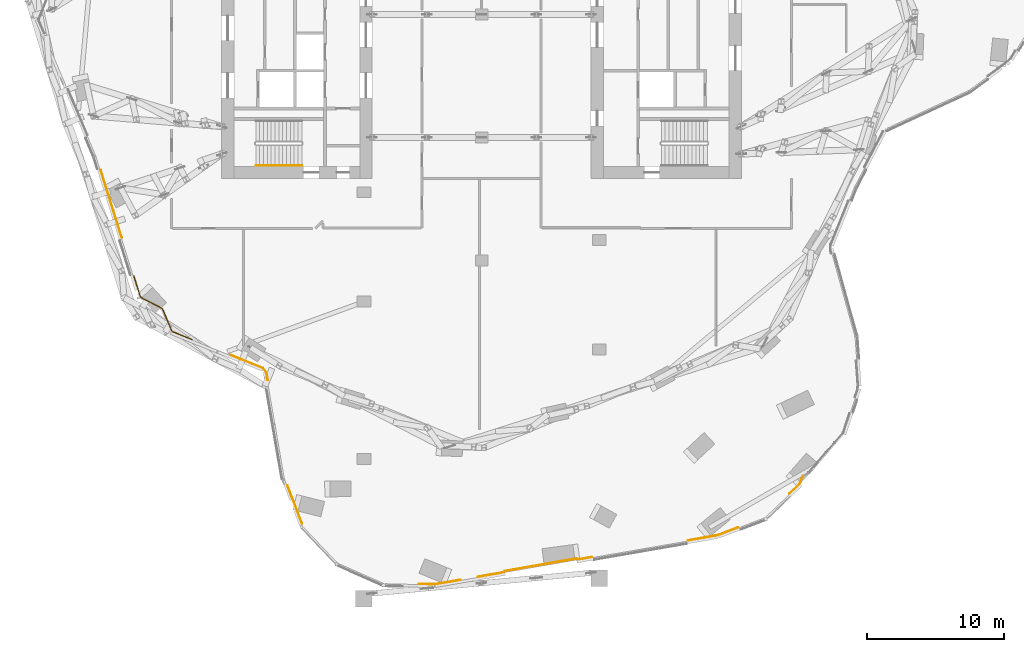
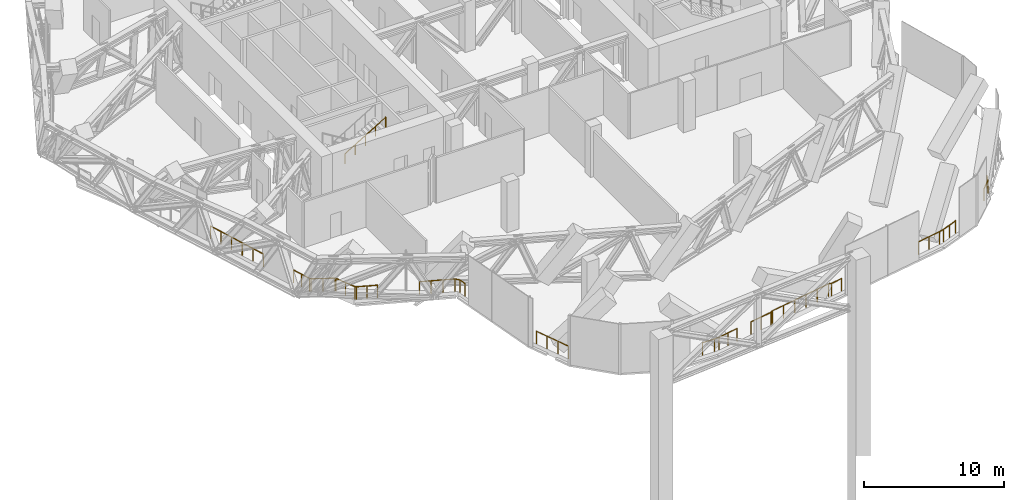
# One storey, part 28 of 31: 9 railings.
"""IFC4 building model written with IfcOpenShell, lengths in metres."""

from ifc_helpers import new_model, si_unit, direction, frame, origin, origin_2d, place, context, subcontext, project, spatial, circle, extrude, material, type_object, element, save


model = new_model("IFC4")

# Units and contexts
model_context = context("Model", 3, precision=1e-05, world=origin(), true_north=direction((0.0, 1.0)))
body_context = subcontext(model_context, "Body", "Model", "MODEL_VIEW")
ifc_project = project(units=[si_unit("LENGTHUNIT", "METRE"), si_unit("AREAUNIT", "SQUARE_METRE"), si_unit("VOLUMEUNIT", "CUBIC_METRE"), si_unit("PLANEANGLEUNIT", "RADIAN"), si_unit("MASSUNIT", "GRAM", prefix="KILO")], contexts=[model_context])

# Site, building, storey
site_placement = place(None, origin())
site = spatial("IfcSite", under=ifc_project, at=site_placement, CompositionType="ELEMENT")
building_placement = place(site_placement, origin())
building = spatial("IfcBuilding", under=site, at=building_placement, Name="Orlundy Tower", CompositionType="ELEMENT")
storey_placement = place(building_placement, frame((0.0, 0.0, 271.0)))
storey = spatial("IfcBuildingStorey", under=building, at=storey_placement, Name="L72", CompositionType="ELEMENT", Elevation=271.0)

# Railings
ifc_material_1 = material(Name="Steel handrail", Category="steel")
railing_type_1 = type_object("IfcRailingType", Name="Stair Handrail 900", PredefinedType="HANDRAIL", material=ifc_material_1)
railing_1_placement = place(storey_placement, frame((-16.5, -11.050048828125, 2.369140625)))
element("IfcRailing", 1, at=railing_1_placement, inside=storey, type_object=railing_type_1, Name="L72 ST-W2 stair handrail 2", PredefinedType="HANDRAIL", context=body_context, shape_type="SweptSolid", body=[
    extrude(circle(Radius=0.02392578125, at=origin_2d()), frame((0.0, 0.0, 0.8759765625), z_axis=(0.855836976705, 0.0, 0.517245656632), x_axis=(0.0, 1.0, 0.0)), (0.0, 0.0, 1.0), 3.926025390625),
    extrude(circle(Radius=0.02099609375, at=origin_2d()), origin(), (0.0, 0.0, 1.0), 0.851806640625),
    extrude(circle(Radius=0.02099609375, at=origin_2d()), frame((0.840087890625, 0.0, 0.5078125)), (0.0, 0.0, 1.0), 0.851806640625),
    extrude(circle(Radius=0.02099609375, at=origin_2d()), frame((1.68017578125, 0.0, 1.015380859375)), (0.0, 0.0, 1.0), 0.851806640625),
    extrude(circle(Radius=0.02099609375, at=origin_2d()), frame((2.52001953125, 0.0, 1.52294921875)), (0.0, 0.0, 1.0), 0.851806640625),
    extrude(circle(Radius=0.02099609375, at=origin_2d()), frame((3.360107421875, 0.0, 2.03076171875)), (0.0, 0.0, 1.0), 0.851806640625),
])
ifc_material_2 = material(Name="Stainless steel bronze finish", Category="steel")
railing_type_2 = type_object("IfcRailingType", Name="TG1 terrace guard", PredefinedType="GUARDRAIL", material=ifc_material_2)
railing_2_placement = place(storey_placement, frame((8.052490234375, -39.66748046875, 0.0)))
element("IfcRailing", 2, at=railing_2_placement, inside=storey, type_object=railing_type_2, Name="Guard TG-L72-E00", PredefinedType="GUARDRAIL", context=body_context, shape_type="SweptSolid", body=[
    extrude(circle(Radius=0.02490234375, at=origin_2d()), frame((0.0, 0.0, 1.09521484375), z_axis=(-0.985329127733, -0.170664905707, 0.0), x_axis=(0.170664905707, -0.985329127733, 0.0)), (0.0, 0.0, 1.0), 0.9599609375),
    extrude(circle(Radius=0.02490234375, at=origin_2d()), frame((-0.94580078125, -0.163818359375, 1.09521484375), z_axis=(-0.978477546075, 0.206353317944, 0.0), x_axis=(-0.206353317944, -0.978477546075, 0.0)), (0.0, 0.0, 1.0), 0.21533203125),
    extrude(circle(Radius=0.02490234375, at=origin_2d()), frame((-1.156494140625, -0.119384765625, 1.09521484375), z_axis=(-0.985311254897, -0.170768061924, 0.0), x_axis=(0.170768061924, -0.985311254897, 0.0)), (0.0, 0.0, 1.0), 5.249755859375),
    extrude(circle(Radius=0.02490234375, at=origin_2d()), frame((-6.3291015625, -1.015869140625, 1.09521484375), z_axis=(-0.852047109161, -0.523465112277, 0.0), x_axis=(0.523465112277, -0.852047109161, 0.0)), (0.0, 0.0, 1.0), 0.215576171875),
    extrude(circle(Radius=0.02490234375, at=origin_2d()), frame((-6.5126953125, -1.128662109375, 1.09521484375), z_axis=(-0.985293939948, -0.170867937019, 0.0), x_axis=(0.170867937019, -0.985293939948, 0.0)), (0.0, 0.0, 1.0), 1.828857421875),
    extrude(circle(Radius=0.02001953125, at=origin_2d()), origin(), (0.0, 0.0, 1.0), 1.070068359375),
    extrude(circle(Radius=0.02001953125, at=origin_2d()), frame((-0.94580078125, -0.163818359375, 0.0)), (0.0, 0.0, 1.0), 1.070068359375),
    extrude(circle(Radius=0.02001953125, at=origin_2d()), frame((-1.156494140625, -0.119384765625, 0.0)), (0.0, 0.0, 1.0), 1.070068359375),
    extrude(circle(Radius=0.02001953125, at=origin_2d()), frame((-2.19091796875, -0.298583984375, 0.0)), (0.0, 0.0, 1.0), 1.070068359375),
    extrude(circle(Radius=0.02001953125, at=origin_2d()), frame((-3.2255859375, -0.47802734375, 0.0)), (0.0, 0.0, 1.0), 1.070068359375),
    extrude(circle(Radius=0.02001953125, at=origin_2d()), frame((-4.260009765625, -0.6572265625, 0.0)), (0.0, 0.0, 1.0), 1.070068359375),
    extrude(circle(Radius=0.02001953125, at=origin_2d()), frame((-5.294677734375, -0.836669921875, 0.0)), (0.0, 0.0, 1.0), 1.070068359375),
    extrude(circle(Radius=0.02001953125, at=origin_2d()), frame((-6.3291015625, -1.015869140625, 0.0)), (0.0, 0.0, 1.0), 1.070068359375),
    extrude(circle(Radius=0.02001953125, at=origin_2d()), frame((-6.5126953125, -1.128662109375, 0.0)), (0.0, 0.0, 1.0), 1.070068359375),
    extrude(circle(Radius=0.02001953125, at=origin_2d()), frame((-7.41357421875, -1.284912109375, 0.0)), (0.0, 0.0, 1.0), 1.070068359375),
    extrude(circle(Radius=0.02001953125, at=origin_2d()), frame((-8.314697265625, -1.441162109375, 0.0)), (0.0, 0.0, 1.0), 1.070068359375),
])
railing_3_placement = place(storey_placement, frame((-21.149658203125, -23.768310546875, 0.0)))
element("IfcRailing", 3, at=railing_3_placement, inside=storey, type_object=railing_type_2, Name="Guard TG-L72-E01", PredefinedType="GUARDRAIL", context=body_context, shape_type="SweptSolid", body=[
    extrude(circle(Radius=0.02490234375, at=origin_2d()), frame((0.0, 0.0, 1.09521484375), z_axis=(-0.927197876261, 0.374571886635, 0.0), x_axis=(-0.374571886635, -0.927197876261, 0.0)), (0.0, 0.0, 1.0), 1.5205078125),
    extrude(circle(Radius=0.02490234375, at=origin_2d()), frame((-1.409912109375, 0.569580078125, 1.09521484375), z_axis=(-0.727561210558, 0.686042771912, 0.0), x_axis=(-0.686042771912, -0.727561210558, 0.0)), (0.0, 0.0, 1.0), 0.12353515625),
    extrude(circle(Radius=0.02490234375, at=origin_2d()), frame((-1.499755859375, 0.654296875, 1.09521484375), z_axis=(-0.390564553643, 0.920575542494, 0.0), x_axis=(-0.920575542494, -0.390564553643, 0.0)), (0.0, 0.0, 1.0), 1.705322265625),
    extrude(circle(Radius=0.02490234375, at=origin_2d()), frame((-2.165771484375, 2.22412109375, 1.09521484375), z_axis=(-0.677904603781, 0.735149881434, 0.0), x_axis=(-0.735149881434, -0.677904603781, 0.0)), (0.0, 0.0, 1.0), 0.0810546875),
    extrude(circle(Radius=0.02490234375, at=origin_2d()), frame((-2.220703125, 2.28369140625, 1.09521484375), z_axis=(-0.885694067726, 0.464269338203, 0.0), x_axis=(-0.464269338203, -0.885694067726, 0.0)), (0.0, 0.0, 1.0), 1.703857421875),
    extrude(circle(Radius=0.02490234375, at=origin_2d()), frame((-3.729736328125, 3.07470703125, 1.09521484375), z_axis=(-0.623487395872, 0.781833401173, 0.0), x_axis=(-0.781833401173, -0.623487395872, 0.0)), (0.0, 0.0, 1.0), 0.123291015625),
    extrude(circle(Radius=0.02490234375, at=origin_2d()), frame((-3.806640625, 3.171142578125, 1.09521484375), z_axis=(-0.297959127045, 0.954578628826, 0.0), x_axis=(-0.954578628826, -0.297959127045, 0.0)), (0.0, 0.0, 1.0), 1.54052734375),
    extrude(circle(Radius=0.02001953125, at=origin_2d()), origin(), (0.0, 0.0, 1.0), 1.070068359375),
    extrude(circle(Radius=0.02001953125, at=origin_2d()), frame((-0.705078125, 0.28466796875, 0.0)), (0.0, 0.0, 1.0), 1.070068359375),
    extrude(circle(Radius=0.02001953125, at=origin_2d()), frame((-1.409912109375, 0.569580078125, 0.0)), (0.0, 0.0, 1.0), 1.070068359375),
    extrude(circle(Radius=0.02001953125, at=origin_2d()), frame((-1.499755859375, 0.654296875, 0.0)), (0.0, 0.0, 1.0), 1.070068359375),
    extrude(circle(Radius=0.02001953125, at=origin_2d()), frame((-1.832763671875, 1.439208984375, 0.0)), (0.0, 0.0, 1.0), 1.070068359375),
    extrude(circle(Radius=0.02001953125, at=origin_2d()), frame((-2.165771484375, 2.22412109375, 0.0)), (0.0, 0.0, 1.0), 1.070068359375),
    extrude(circle(Radius=0.02001953125, at=origin_2d()), frame((-2.220703125, 2.28369140625, 0.0)), (0.0, 0.0, 1.0), 1.070068359375),
    extrude(circle(Radius=0.02001953125, at=origin_2d()), frame((-2.97509765625, 2.67919921875, 0.0)), (0.0, 0.0, 1.0), 1.070068359375),
    extrude(circle(Radius=0.02001953125, at=origin_2d()), frame((-3.729736328125, 3.07470703125, 0.0)), (0.0, 0.0, 1.0), 1.070068359375),
    extrude(circle(Radius=0.02001953125, at=origin_2d()), frame((-3.806640625, 3.171142578125, 0.0)), (0.0, 0.0, 1.0), 1.070068359375),
    extrude(circle(Radius=0.02001953125, at=origin_2d()), frame((-4.0361328125, 3.90625, 0.0)), (0.0, 0.0, 1.0), 1.070068359375),
    extrude(circle(Radius=0.02001953125, at=origin_2d()), frame((-4.265625, 4.6416015625, 0.0)), (0.0, 0.0, 1.0), 1.070068359375),
])
railing_4_placement = place(storey_placement, frame((-26.293212890625, -16.314697265625, 0.0)))
element("IfcRailing", 4, at=railing_4_placement, inside=storey, type_object=railing_type_2, Name="Guard TG-L72-E07", PredefinedType="GUARDRAIL", context=body_context, shape_type="SweptSolid", body=[
    extrude(circle(Radius=0.02490234375, at=origin_2d()), frame((0.0, 0.0, 1.09521484375), z_axis=(-0.297973256693, 0.954574218328, 0.0), x_axis=(-0.954574218328, -0.297973256693, 0.0)), (0.0, 0.0, 1.0), 5.16015625),
    extrude(circle(Radius=0.02001953125, at=origin_2d()), origin(), (0.0, 0.0, 1.0), 1.070068359375),
    extrude(circle(Radius=0.02001953125, at=origin_2d()), frame((-0.3076171875, 0.985107421875, 0.0)), (0.0, 0.0, 1.0), 1.070068359375),
    extrude(circle(Radius=0.02001953125, at=origin_2d()), frame((-0.614990234375, 1.97021484375, 0.0)), (0.0, 0.0, 1.0), 1.070068359375),
    extrude(circle(Radius=0.02001953125, at=origin_2d()), frame((-0.922607421875, 2.95556640625, 0.0)), (0.0, 0.0, 1.0), 1.070068359375),
    extrude(circle(Radius=0.02001953125, at=origin_2d()), frame((-1.22998046875, 3.940673828125, 0.0)), (0.0, 0.0, 1.0), 1.070068359375),
    extrude(circle(Radius=0.02001953125, at=origin_2d()), frame((-1.53759765625, 4.92578125, 0.0)), (0.0, 0.0, 1.0), 1.070068359375),
])
railing_5_placement = place(storey_placement, frame((18.731689453125, -37.50244140625, 0.0)))
element("IfcRailing", 5, at=railing_5_placement, inside=storey, type_object=railing_type_2, Name="Guard TG-L72-E011", PredefinedType="GUARDRAIL", context=body_context, shape_type="SweptSolid", body=[
    extrude(circle(Radius=0.02490234375, at=origin_2d()), frame((0.0, 0.0, 1.09521484375), z_axis=(-0.933064798209, -0.359708329545, 0.0), x_axis=(0.359708329545, -0.933064798209, 0.0)), (0.0, 0.0, 1.0), 1.390625),
    extrude(circle(Radius=0.02490234375, at=origin_2d()), frame((-1.297607421875, -0.500244140625, 1.09521484375), z_axis=(-0.963804277203, -0.266610793564, 0.0), x_axis=(0.266610793564, -0.963804277203, 0.0)), (0.0, 0.0, 1.0), 0.39013671875),
    extrude(circle(Radius=0.02490234375, at=origin_2d()), frame((-1.673583984375, -0.604248046875, 1.09521484375), z_axis=(-0.985299770305, -0.170834313409, 0.0), x_axis=(0.170834313409, -0.985299770305, 0.0)), (0.0, 0.0, 1.0), 1.9921875),
    extrude(circle(Radius=0.02001953125, at=origin_2d()), origin(), (0.0, 0.0, 1.0), 1.070068359375),
    extrude(circle(Radius=0.02001953125, at=origin_2d()), frame((-0.64892578125, -0.25, 0.0)), (0.0, 0.0, 1.0), 1.070068359375),
    extrude(circle(Radius=0.02001953125, at=origin_2d()), frame((-1.297607421875, -0.500244140625, 0.0)), (0.0, 0.0, 1.0), 1.070068359375),
    extrude(circle(Radius=0.02001953125, at=origin_2d()), frame((-1.673583984375, -0.604248046875, 0.0)), (0.0, 0.0, 1.0), 1.070068359375),
    extrude(circle(Radius=0.02001953125, at=origin_2d()), frame((-2.655029296875, -0.7744140625, 0.0)), (0.0, 0.0, 1.0), 1.070068359375),
    extrude(circle(Radius=0.02001953125, at=origin_2d()), frame((-3.636474609375, -0.944580078125, 0.0)), (0.0, 0.0, 1.0), 1.070068359375),
])
railing_6_placement = place(storey_placement, frame((-15.6240234375, -26.7314453125, 0.0)))
element("IfcRailing", 6, at=railing_6_placement, inside=storey, type_object=railing_type_2, Name="Guard TG-L72-E015", PredefinedType="GUARDRAIL", context=body_context, shape_type="SweptSolid", body=[
    extrude(circle(Radius=0.02490234375, at=origin_2d()), frame((0.0, 0.0, 1.09521484375), z_axis=(-0.170929469082, 0.985283267187, 0.0), x_axis=(-0.985283267187, -0.170929469082, 0.0)), (0.0, 0.0, 1.0), 0.57568359375),
    extrude(circle(Radius=0.02490234375, at=origin_2d()), frame((-0.098388671875, 0.567138671875, 1.09521484375), z_axis=(-0.628366359151, 0.777917552629, 0.0), x_axis=(-0.777917552629, -0.628366359151, 0.0)), (0.0, 0.0, 1.0), 0.388427734375),
    extrude(circle(Radius=0.02490234375, at=origin_2d()), frame((-0.342529296875, 0.869384765625, 1.09521484375), z_axis=(-0.927215877018, 0.374527325312, 0.0), x_axis=(-0.374527325312, -0.927215877018, 0.0)), (0.0, 0.0, 1.0), 2.574951171875),
    extrude(circle(Radius=0.02001953125, at=origin_2d()), origin(), (0.0, 0.0, 1.0), 1.070068359375),
    extrude(circle(Radius=0.02001953125, at=origin_2d()), frame((-0.098388671875, 0.567138671875, 0.0)), (0.0, 0.0, 1.0), 1.070068359375),
    extrude(circle(Radius=0.02001953125, at=origin_2d()), frame((-0.342529296875, 0.869384765625, 0.0)), (0.0, 0.0, 1.0), 1.070068359375),
    extrude(circle(Radius=0.02001953125, at=origin_2d()), frame((-1.138427734375, 1.19091796875, 0.0)), (0.0, 0.0, 1.0), 1.070068359375),
    extrude(circle(Radius=0.02001953125, at=origin_2d()), frame((-1.93408203125, 1.51220703125, 0.0)), (0.0, 0.0, 1.0), 1.070068359375),
    extrude(circle(Radius=0.02001953125, at=origin_2d()), frame((-2.72998046875, 1.833740234375, 0.0)), (0.0, 0.0, 1.0), 1.070068359375),
])
railing_7_placement = place(storey_placement, frame((-1.549072265625, -41.33154296875, 0.0)))
element("IfcRailing", 7, at=railing_7_placement, inside=storey, type_object=railing_type_2, Name="Guard TG-L72-E018", PredefinedType="GUARDRAIL", context=body_context, shape_type="SweptSolid", body=[
    extrude(circle(Radius=0.02490234375, at=origin_2d()), frame((0.0, 0.0, 1.09521484375), z_axis=(-0.985299394761, -0.170836479369, 0.0), x_axis=(0.170836479369, -0.985299394761, 0.0)), (0.0, 0.0, 1.0), 1.71484375),
    extrude(circle(Radius=0.02490234375, at=origin_2d()), frame((-1.689697265625, -0.29296875, 1.09521484375), z_axis=(-0.997317037766, -0.07320332084, 0.0), x_axis=(0.07320332084, -0.997317037766, 0.0)), (0.0, 0.0, 1.0), 0.39013671875),
    extrude(circle(Radius=0.02490234375, at=origin_2d()), frame((-2.078857421875, -0.321533203125, 1.09521484375), z_axis=(-0.999695849676, 0.024661876251, 0.0), x_axis=(-0.024661876251, -0.999695849676, 0.0)), (0.0, 0.0, 1.0), 0.960205078125),
    extrude(circle(Radius=0.02001953125, at=origin_2d()), origin(), (0.0, 0.0, 1.0), 1.070068359375),
    extrude(circle(Radius=0.02001953125, at=origin_2d()), frame((-0.8447265625, -0.146484375, 0.0)), (0.0, 0.0, 1.0), 1.070068359375),
    extrude(circle(Radius=0.02001953125, at=origin_2d()), frame((-1.689697265625, -0.29296875, 0.0)), (0.0, 0.0, 1.0), 1.070068359375),
    extrude(circle(Radius=0.02001953125, at=origin_2d()), frame((-2.078857421875, -0.321533203125, 0.0)), (0.0, 0.0, 1.0), 1.070068359375),
    extrude(circle(Radius=0.02001953125, at=origin_2d()), frame((-3.038818359375, -0.2978515625, 0.0)), (0.0, 0.0, 1.0), 1.070068359375),
])
railing_8_placement = place(storey_placement, frame((-13.113525390625, -37.218017578125, 0.0)))
element("IfcRailing", 8, at=railing_8_placement, inside=storey, type_object=railing_type_2, Name="Guard TG-L72-E019", PredefinedType="GUARDRAIL", context=body_context, shape_type="SweptSolid", body=[
    extrude(circle(Radius=0.02490234375, at=origin_2d()), frame((0.0, 0.0, 1.09521484375), z_axis=(-0.359609536144, 0.933102878312, 0.0), x_axis=(-0.933102878312, -0.359609536144, 0.0)), (0.0, 0.0, 1.0), 2.98388671875),
    extrude(circle(Radius=0.02001953125, at=origin_2d()), origin(), (0.0, 0.0, 1.0), 1.070068359375),
    extrude(circle(Radius=0.02001953125, at=origin_2d()), frame((-0.357666015625, 0.927978515625, 0.0)), (0.0, 0.0, 1.0), 1.070068359375),
    extrude(circle(Radius=0.02001953125, at=origin_2d()), frame((-0.71533203125, 1.856201171875, 0.0)), (0.0, 0.0, 1.0), 1.070068359375),
    extrude(circle(Radius=0.02001953125, at=origin_2d()), frame((-1.072998046875, 2.7841796875, 0.0)), (0.0, 0.0, 1.0), 1.070068359375),
])
railing_9_placement = place(storey_placement, frame((23.4921875, -33.7333984375, 0.0)))
element("IfcRailing", 9, at=railing_9_placement, inside=storey, type_object=railing_type_2, Name="Guard TG-L72-E025", PredefinedType="GUARDRAIL", context=body_context, shape_type="SweptSolid", body=[
    extrude(circle(Radius=0.02490234375, at=origin_2d()), frame((0.0, 0.0, 1.09521484375), z_axis=(-0.396945256593, -0.917842286707, 0.0), x_axis=(0.917842286707, -0.396945256593, 0.0)), (0.0, 0.0, 1.0), 0.65185546875),
    extrude(circle(Radius=0.02490234375, at=origin_2d()), frame((-0.2587890625, -0.598388671875, 1.09521484375), z_axis=(-0.72427275516, -0.689513579368, 0.0), x_axis=(0.689513579368, -0.72427275516, 0.0)), (0.0, 0.0, 1.0), 0.990234375),
    extrude(circle(Radius=0.02001953125, at=origin_2d()), origin(), (0.0, 0.0, 1.0), 1.070068359375),
    extrude(circle(Radius=0.02001953125, at=origin_2d()), frame((-0.2587890625, -0.598388671875, 0.0)), (0.0, 0.0, 1.0), 1.070068359375),
    extrude(circle(Radius=0.02001953125, at=origin_2d()), frame((-0.97607421875, -1.28125, 0.0)), (0.0, 0.0, 1.0), 1.070068359375),
])

save(model, "model.ifc")
